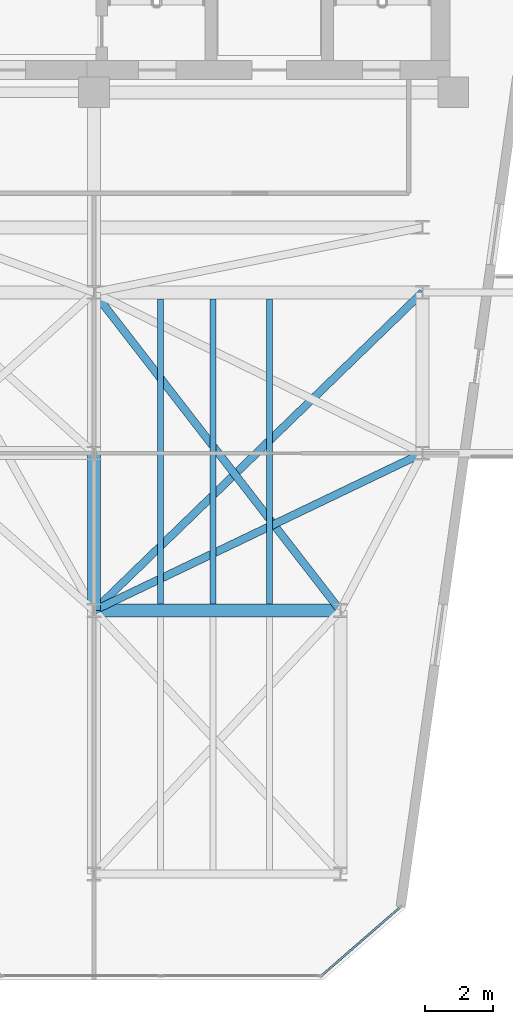
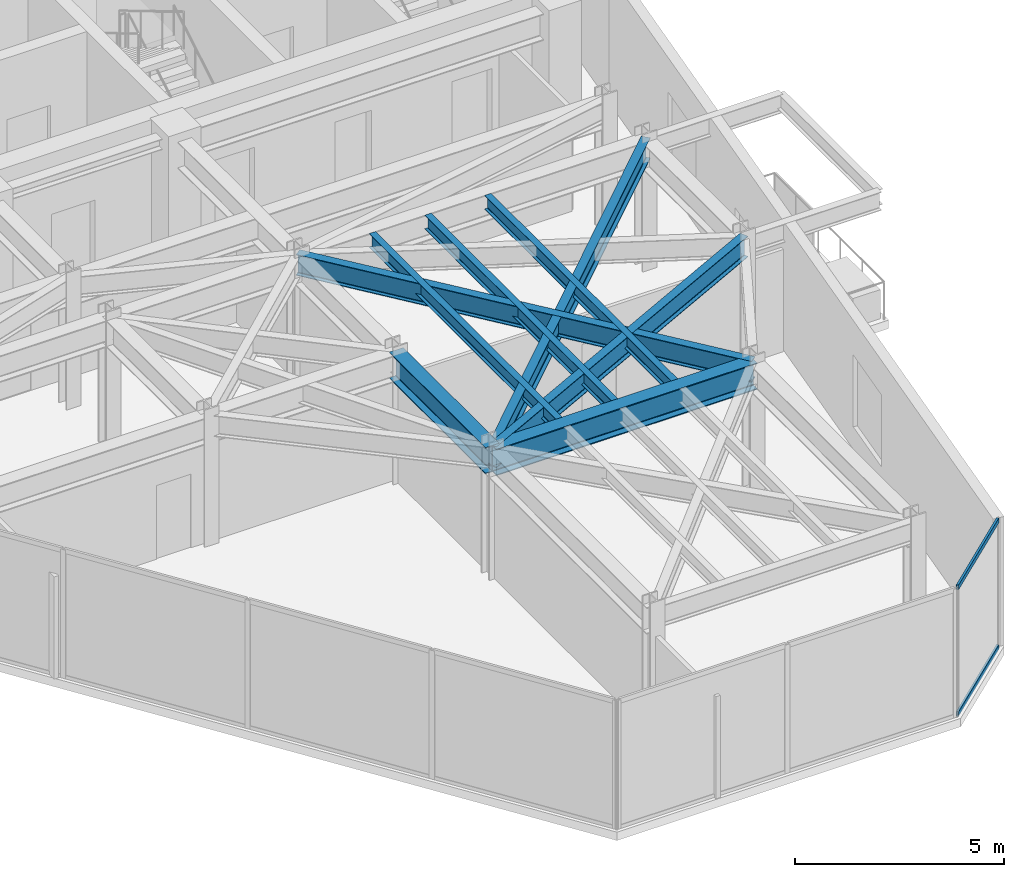
# One storey, part 13 of 21: 8 beams, 2 members, 1 element without a shape of its own.
"""IFC4 building model written with IfcOpenShell, lengths in metres."""

from ifc_helpers import new_model, si_unit, direction, frame, origin, origin_2d, place, context, subcontext, project, spatial, hollow_rectangle, i_section, extrude, material, layer, layer_set, material_profile, profile_set, type_object, element, aggregate, save


model = new_model("IFC4")

# Units and contexts
model_context = context("Model", 3, precision=1e-05, world=origin(), true_north=direction((0.0, 1.0)))
body_context = subcontext(model_context, "Body", "Model", "MODEL_VIEW")
ifc_project = project(units=[si_unit("LENGTHUNIT", "METRE"), si_unit("AREAUNIT", "SQUARE_METRE"), si_unit("VOLUMEUNIT", "CUBIC_METRE"), si_unit("PLANEANGLEUNIT", "RADIAN"), si_unit("MASSUNIT", "GRAM", prefix="KILO")], contexts=[model_context])

# Site, building, storey
site_placement = place(None, origin())
site = spatial("IfcSite", under=ifc_project, at=site_placement, CompositionType="ELEMENT")
building_placement = place(site_placement, origin())
building = spatial("IfcBuilding", under=site, at=building_placement, Name="Kravanh Interchange Tower", CompositionType="ELEMENT")
storey_placement = place(building_placement, frame((0.0, 0.0, 208.5)))
storey = spatial("IfcBuildingStorey", under=building, at=storey_placement, Name="L50", CompositionType="ELEMENT", Elevation=208.5)

# Curtain wall, members
ifc_material_1 = material(Name="Anodised Bronze Aluminium", Category="aluminium")
ifc_layer = layer(ifc_material_1, 0.179931640625)
ifc_layer_set = layer_set([ifc_layer], Name="Unitised Curtain Wall System CW-Z3 Upper Office")
curtain_wall_type = type_object("IfcCurtainWallType", Name="Unitised Curtain Wall System CW-Z3 Upper Office", PredefinedType="NOTDEFINED", material=ifc_layer_set)
curtain_wall_placement = place(storey_placement, origin())
curtain_wall = element("IfcCurtainWall", 1, at=curtain_wall_placement, inside=storey, type_object=curtain_wall_type, Name="L50 Unitised Curtain Wall CW-L50-01", PredefinedType="NOTDEFINED")
ifc_material_2 = material(Name="Anodised Bronze Aluminium", Category="aluminium")
ifc_material_profile_1 = material_profile(ifc_material_2, hollow_rectangle(XDim=0.06005859375, YDim=0.139892578125, WallThickness=0.00390625, at=origin_2d()), Name="ALU60X140X4")
ifc_profile_set_1 = profile_set([ifc_material_profile_1], Name="Anodised Bronze Aluminium")
member_type = type_object("IfcMemberType", Name="Curtain Wall Transom ALU60X140X4 Bronze", PredefinedType="USERDEFINED", material=ifc_profile_set_1)
member_1_placement = place(storey_placement, frame((64.92041015625, 13.501220703125, 0.030029296875), z_axis=(-0.754744002238, -0.656019428893, 0.0), x_axis=(0.656019428893, -0.754744002238, 0.0)))
member_1 = element("IfcMember", 2, at=member_1_placement, type_object=member_type, Name="CW-Z3 transom 1.1", ObjectType="TRANSOM", PredefinedType="USERDEFINED", context=body_context, shape_type="SweptSolid", body=[
    extrude(hollow_rectangle(XDim=0.06005859375, YDim=0.139892578125, WallThickness=0.00390625, at=origin_2d()), origin(), (0.0, 0.0, 1.0), 2.960205078125),
])
member_2_placement = place(storey_placement, frame((64.92041015625, 13.501220703125, 3.72509765625), z_axis=(-0.754744002238, -0.656019428893, 0.0), x_axis=(0.656019428893, -0.754744002238, 0.0)))
member_2 = element("IfcMember", 3, at=member_2_placement, type_object=member_type, Name="CW-Z3 transom 1.2", ObjectType="TRANSOM", PredefinedType="USERDEFINED", context=body_context, shape_type="SweptSolid", body=[
    extrude(hollow_rectangle(XDim=0.06005859375, YDim=0.139892578125, WallThickness=0.00390625, at=origin_2d()), origin(), (0.0, 0.0, 1.0), 2.960205078125),
])
aggregate(curtain_wall, [member_1, member_2])

# Beams
ifc_material_3 = material(Name="Structural Steel S355", Category="steel")
ifc_material_profile_2 = material_profile(ifc_material_3, i_section(OverallWidth=0.381103515625, OverallDepth=0.77294921875, WebThickness=0.0166015625, FlangeThickness=0.027099609375, FilletRadius=0.02490234375, at=origin_2d()), Name="W30X173")
ifc_profile_set_2 = profile_set([ifc_material_profile_2], Name="Structural Steel S355")
beam_type_1 = type_object("IfcBeamType", Name="Floor Beam W30X173 Structural Steel S355", PredefinedType="BEAM", material=ifc_profile_set_2)
beam_1_placement = place(storey_placement, frame((56.0, 26.800048828125, 3.368408203125), z_axis=(0.0, -1.0, 0.0), x_axis=(1.0, 0.0, 0.0)))
element("IfcBeam", 4, at=beam_1_placement, inside=storey, type_object=beam_type_1, Name="L50 Primary Floor Girder 53", PredefinedType="BEAM", context=body_context, shape_type="SweptSolid", body=[
    extrude(i_section(OverallWidth=0.381103515625, OverallDepth=0.77294921875, WebThickness=0.0166015625, FlangeThickness=0.027099609375, FilletRadius=0.02490234375, at=origin_2d()), origin(), (0.0, 0.0, 1.0), 4.60009765625),
])
beam_2_placement = place(storey_placement, frame((56.0, 22.199951171875, 3.368408203125), z_axis=(1.0, 0.0, 0.0), x_axis=(0.0, 1.0, 0.0)))
element("IfcBeam", 5, at=beam_2_placement, inside=storey, type_object=beam_type_1, Name="L50 Primary Floor Girder 92", PredefinedType="BEAM", context=body_context, shape_type="SweptSolid", body=[
    extrude(i_section(OverallWidth=0.381103515625, OverallDepth=0.77294921875, WebThickness=0.0166015625, FlangeThickness=0.027099609375, FilletRadius=0.02490234375, at=origin_2d()), origin(), (0.0, 0.0, 1.0), 7.199951171875),
])
ifc_material_4 = material(Name="Structural Steel S355", Category="steel")
ifc_material_profile_3 = material_profile(ifc_material_4, i_section(OverallWidth=0.177978515625, OverallDepth=0.406005859375, WebThickness=0.0078125, FlangeThickness=0.0126953125, FilletRadius=0.01611328125, at=origin_2d()), Name="W16X40")
ifc_profile_set_3 = profile_set([ifc_material_profile_3], Name="Structural Steel S355")
beam_type_2 = type_object("IfcBeamType", Name="Floor Joist W16X40 Structural Steel S355", PredefinedType="JOIST", material=ifc_profile_set_3)
for number, where, z_axis, x_axis, name in (
    (6, (57.947998046875, 22.385498046875, 3.552001953125), (0.0, 1.0, 0.0), (-1.0, 0.0, 0.0), "L50 Secondary Floor Joist 10"),
    (7, (59.48193359375, 22.385498046875, 3.552001953125), (0.0, 1.0, 0.0), (-1.0, 0.0, 0.0), "L50 Secondary Floor Joist 11"),
    (8, (61.134033203125, 22.385498046875, 3.552001953125), (0.0, 1.0, 0.0), (-1.0, 0.0, 0.0), "L50 Secondary Floor Joist 12"),
):
    element("IfcBeam", number, at=place(storey_placement, frame(where, z_axis=z_axis, x_axis=x_axis)), inside=storey, type_object=beam_type_2, Name=name, PredefinedType="JOIST", context=body_context, shape_type="SweptSolid", body=[
        extrude(i_section(OverallWidth=0.177978515625, OverallDepth=0.406005859375, WebThickness=0.0078125, FlangeThickness=0.0126953125, FilletRadius=0.01611328125, at=origin_2d()), origin(), (0.0, 0.0, 1.0), 8.928955078125),
    ])
ifc_material_5 = material(Name="Structural Steel S355", Category="steel")
ifc_material_profile_4 = material_profile(ifc_material_5, i_section(OverallWidth=0.22802734375, OverallDepth=0.60791015625, WebThickness=0.01123046875, FlangeThickness=0.017333984375, FilletRadius=0.02197265625, at=origin_2d()), Name="W24X76")
ifc_profile_set_4 = profile_set([ifc_material_profile_4], Name="Structural Steel S355")
beam_type_3 = type_object("IfcBeamType", Name="Floor Spandrel W24X76 Structural Steel S355", PredefinedType="SPANDREL", material=ifc_profile_set_4)
beam_3_placement = place(storey_placement, frame((65.60009765625, 26.800048828125, 3.450927734375), z_axis=(-0.901814166789, -0.432124066188, 0.0), x_axis=(0.432124066188, -0.901814166789, 0.0)))
element("IfcBeam", 9, at=beam_3_placement, inside=storey, type_object=beam_type_3, Name="L50 Perimeter Spandrel 59", PredefinedType="SPANDREL", context=body_context, shape_type="SweptSolid", body=[
    extrude(i_section(OverallWidth=0.22802734375, OverallDepth=0.60791015625, WebThickness=0.01123046875, FlangeThickness=0.017333984375, FilletRadius=0.02197265625, at=origin_2d()), origin(), (0.0, 0.0, 1.0), 10.645263671875),
])
beam_4_placement = place(storey_placement, frame((56.0, 31.5, 3.450927734375), z_axis=(0.612168587637, -0.790727273028, 0.0), x_axis=(0.790727273028, 0.612168587637, 0.0)))
element("IfcBeam", 10, at=beam_4_placement, inside=storey, type_object=beam_type_3, Name="L50 Perimeter Spandrel 83", PredefinedType="SPANDREL", context=body_context, shape_type="SweptSolid", body=[
    extrude(i_section(OverallWidth=0.22802734375, OverallDepth=0.60791015625, WebThickness=0.01123046875, FlangeThickness=0.017333984375, FilletRadius=0.02197265625, at=origin_2d()), origin(), (0.0, 0.0, 1.0), 11.761474609375),
])
beam_5_placement = place(storey_placement, frame((65.60009765625, 31.5, 3.450927734375), z_axis=(-0.718241934329, -0.695793449072, 0.0), x_axis=(0.695793449072, -0.718241934329, 0.0)))
element("IfcBeam", 11, at=beam_5_placement, inside=storey, type_object=beam_type_3, Name="L50 Perimeter Spandrel 85", PredefinedType="SPANDREL", context=body_context, shape_type="SweptSolid", body=[
    extrude(i_section(OverallWidth=0.22802734375, OverallDepth=0.60791015625, WebThickness=0.01123046875, FlangeThickness=0.017333984375, FilletRadius=0.02197265625, at=origin_2d()), origin(), (0.0, 0.0, 1.0), 13.3662109375),
])

save(model, "model.ifc")
